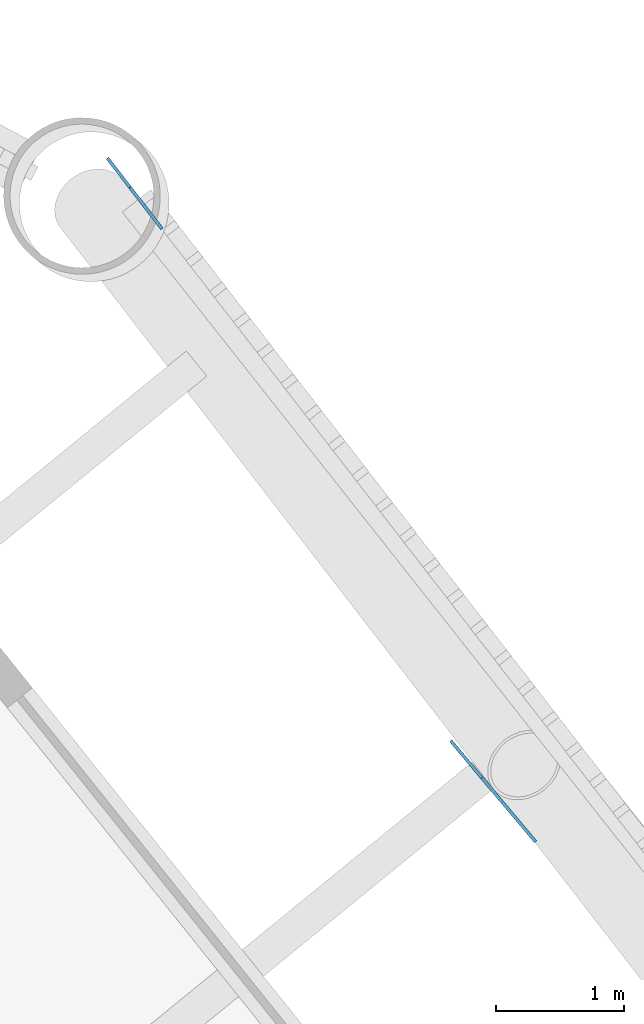
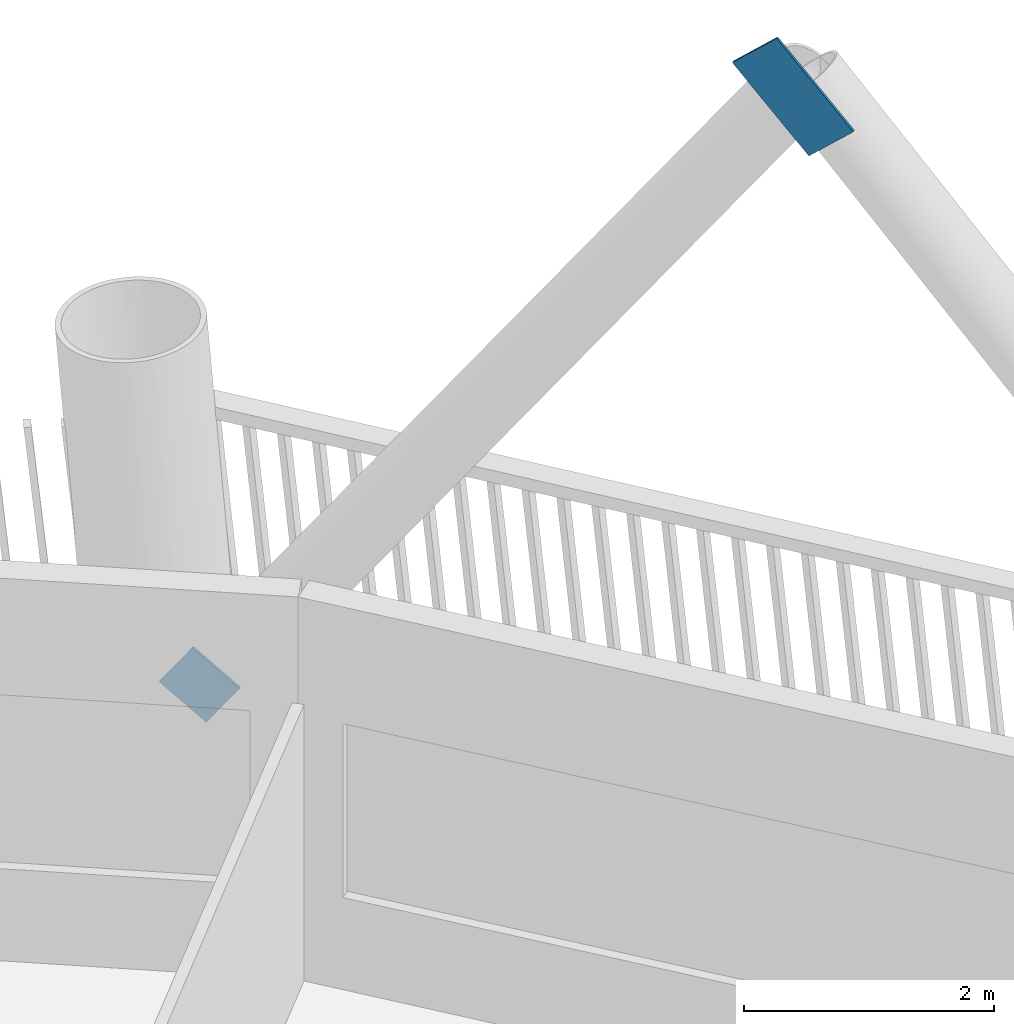
# One storey, part 13 of 22: 2 discrete accessories.
"""IFC4 building model written with IfcOpenShell, lengths in metres."""

from ifc_helpers import new_model, si_unit, direction, frame, origin, origin_2d, place, context, subcontext, project, spatial, rectangle, extrude, material, material_profile, profile_set, type_object, element, save


model = new_model("IFC4")

# Units and contexts
model_context = context("Model", 3, precision=1e-05, world=origin(), true_north=direction((0.0, 1.0)))
body_context = subcontext(model_context, "Body", "Model", "MODEL_VIEW")
ifc_project = project(units=[si_unit("LENGTHUNIT", "METRE"), si_unit("AREAUNIT", "SQUARE_METRE"), si_unit("VOLUMEUNIT", "CUBIC_METRE"), si_unit("PLANEANGLEUNIT", "RADIAN"), si_unit("MASSUNIT", "GRAM", prefix="KILO")], contexts=[model_context])

# Site, building, storey
site_placement = place(None, origin())
site = spatial("IfcSite", under=ifc_project, at=site_placement, CompositionType="ELEMENT")
building_placement = place(site_placement, origin())
building = spatial("IfcBuilding", under=site, at=building_placement, Name="Tarsis Ring Headquarters", CompositionType="ELEMENT")
storey_placement = place(building_placement, frame((0.0, 0.0, 40.0)))
storey = spatial("IfcBuildingStorey", under=building, at=storey_placement, Name="L07", CompositionType="ELEMENT", Elevation=40.0)

# Discrete accessories
ifc_material = material(Name="Structural steel S355", Category="steel")
ifc_material_profile = material_profile(ifc_material, rectangle(XDim=0.02490234375, YDim=0.5, at=origin_2d()), Name="PL 25x500")
ifc_profile_set = profile_set([ifc_material_profile], Name="Structural steel S355")
discrete_accessory_type = type_object("IfcDiscreteAccessoryType", Name="Gusset plate Exo brace 25", PredefinedType="BRACKET", material=ifc_profile_set)
discrete_accessory_1_placement = place(storey_placement, frame((22.0615234375, 17.382568359375, 7.421142578125), z_axis=(-0.419921849971, 0.499755829587, 0.75756831422), x_axis=(-0.765609071924, -0.643306108309, 0.0)))
element("IfcDiscreteAccessory", 1, at=discrete_accessory_1_placement, inside=storey, type_object=discrete_accessory_type, Name="Gusset plate GP5", PredefinedType="BRACKET", context=body_context, shape_type="SweptSolid", body=[
    extrude(rectangle(XDim=0.02490234375, YDim=0.5, at=origin_2d()), origin(), (0.0, 0.0, 1.0), 1.0),
])
discrete_accessory_2_placement = place(storey_placement, frame((18.9677734375, 22.40869140625, 0.0), z_axis=(0.353433181277, -0.457901000052, 0.815727687726), x_axis=(0.791618966979, 0.611015066197, 0.0)))
element("IfcDiscreteAccessory", 2, at=discrete_accessory_2_placement, inside=storey, type_object=discrete_accessory_type, Name="Gusset plate GP5", PredefinedType="BRACKET", context=body_context, shape_type="SweptSolid", body=[
    extrude(rectangle(XDim=0.02490234375, YDim=0.5, at=origin_2d()), origin(), (0.0, 0.0, 1.0), 0.5),
])

save(model, "model.ifc")
